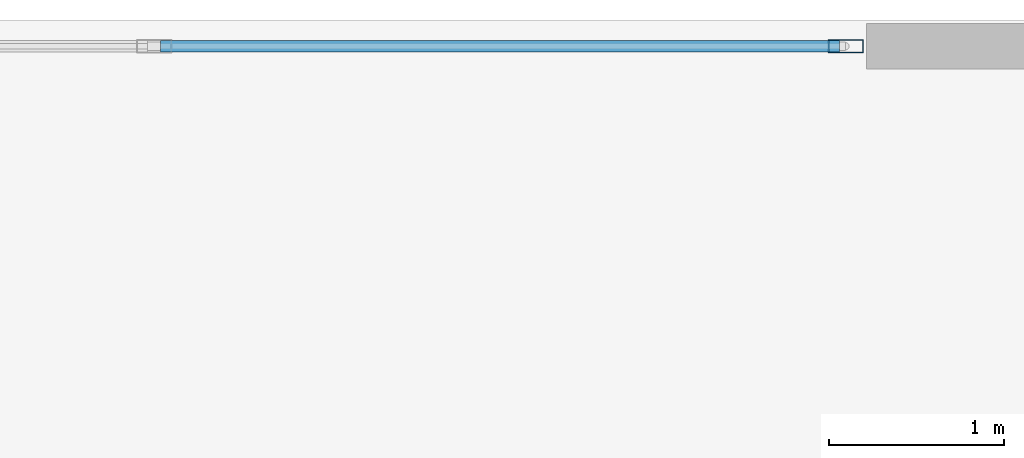
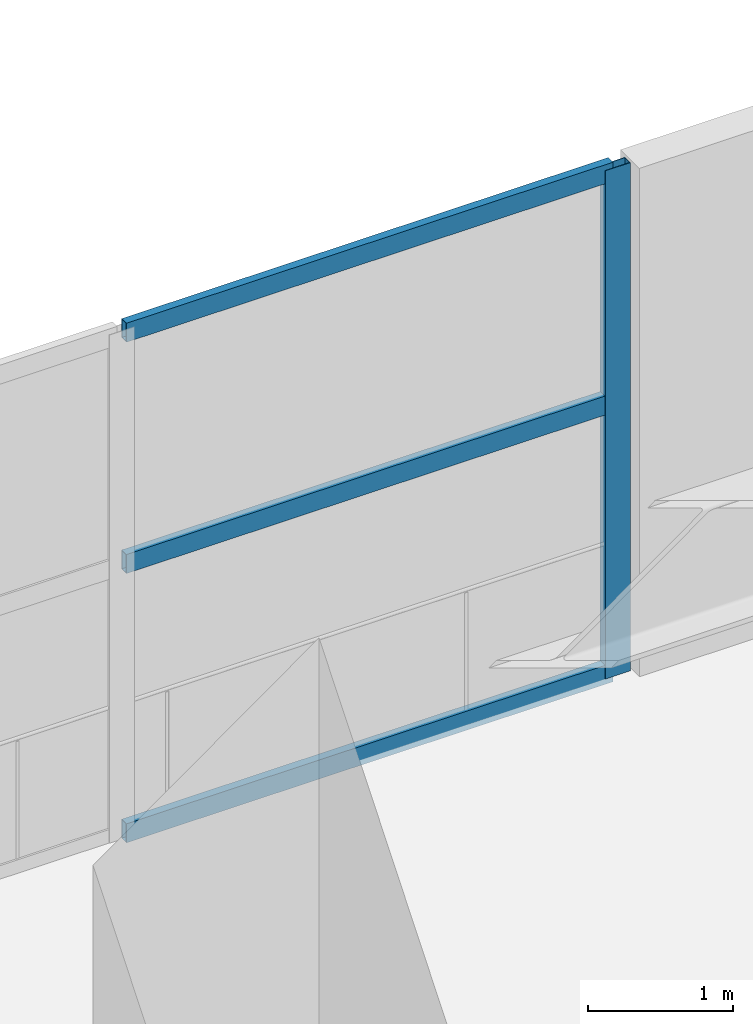
# One storey, part 9 of 20: 4 members, 1 element without a shape of its own.
"""IFC4 building model written with IfcOpenShell, lengths in metres."""

import ifcopenshell
import ifcopenshell.guid

model = None  # the IFC model being written
_history = None  # IfcOwnerHistory: only IFC2X3 demands one
_inside = {}  # id of a spatial element -> (the spatial element, [elements in it])
_under = {}  # id of a project, library or spatial element -> (it, [spatial elements below it])
_declared = {}  # id of a project -> (the project, [libraries it declares])
_typed = {}  # id of a type object -> (the type object, [elements of that type])
_made_of = {}  # id of a material, layer set ... -> (it, [elements and type objects made of it])


def new_model(schema):
    """Start an empty IFC model of exactly this schema.

    Asked for "IFC4X3", IfcOpenShell would pick the latest addendum, in which some entities
    have other attributes; the version numbers below select the first issue.
    IFC2X3 requires an IfcOwnerHistory on every rooted entity: one is made here for all.
    """
    global model, _history
    if schema == "IFC4X3":
        model = ifcopenshell.file(schema_version=(4, 3, 0, 0))
    else:
        model = ifcopenshell.file(schema=schema)
    _inside.clear()
    _under.clear()
    _declared.clear()
    _typed.clear()
    _made_of.clear()
    _history = None
    if model.schema == "IFC2X3":
        org = make("IfcOrganization", Name="unknown")
        user = make(
            "IfcPersonAndOrganization",
            ThePerson=make("IfcPerson", FamilyName="unknown"),
            TheOrganization=org,
        )
        app = make(
            "IfcApplication",
            ApplicationDeveloper=org,
            Version="unknown",
            ApplicationFullName="unknown",
            ApplicationIdentifier="unknown",
        )
        _history = make(
            "IfcOwnerHistory",
            OwningUser=user,
            OwningApplication=app,
            ChangeAction="ADDED",
            CreationDate=0,
        )
    return model


def make(cls, **values):
    """One entity of the class cls with the attributes given. An attribute that is None is left unset."""
    return model.create_entity(
        cls, **{name: value for name, value in values.items() if value is not None}
    )


def rooted(cls, **values):
    """An entity with a GlobalId (a new one), such as an element, a storey or a relation."""
    return make(cls, GlobalId=ifcopenshell.guid.new(), OwnerHistory=_history, **values)


def si_unit(unit_type, name, prefix=None):
    """IfcSIUnit, for example si_unit("LENGTHUNIT", "METRE", prefix="MILLI")."""
    return make("IfcSIUnit", UnitType=unit_type, Prefix=prefix, Name=name)


def assignment(units):
    """IfcUnitAssignment: the units of a project."""
    return None if units is None else make("IfcUnitAssignment", Units=units)


def point(xyz):
    """IfcCartesianPoint."""
    return None if xyz is None else make("IfcCartesianPoint", Coordinates=xyz)


def direction(xyz):
    """IfcDirection."""
    return None if xyz is None else make("IfcDirection", DirectionRatios=xyz)


def frame(location, z_axis=None, x_axis=None):
    """IfcAxis2Placement3D, a coordinate frame: its origin and axes. An axis left out is left unset."""
    return make(
        "IfcAxis2Placement3D",
        Location=point(location),
        Axis=direction(z_axis),
        RefDirection=direction(x_axis),
    )


def frame_2d(location, x_axis=None):
    """IfcAxis2Placement2D, a coordinate frame in the plane: its origin and x axis."""
    return make(
        "IfcAxis2Placement2D", Location=point(location), RefDirection=direction(x_axis)
    )


def origin():
    """The frame at (0, 0, 0) with its axes left unset."""
    return frame((0.0, 0.0, 0.0))


def origin_2d():
    """The frame at (0, 0) in the plane with its x axis left unset."""
    return frame_2d((0.0, 0.0))


def place(relative_to, where):
    """IfcLocalPlacement: puts the frame where relative to a parent placement (None: the world)."""
    return make(
        "IfcLocalPlacement", PlacementRelTo=relative_to, RelativePlacement=where
    )


def context(
    kind, dimensions, precision=None, world=None, true_north=None, identifier=None
):
    """IfcGeometricRepresentationContext, for example the 3D "Model" context."""
    return make(
        "IfcGeometricRepresentationContext",
        ContextIdentifier=identifier,
        ContextType=kind,
        CoordinateSpaceDimension=dimensions,
        Precision=precision,
        WorldCoordinateSystem=world,
        TrueNorth=true_north,
    )


def subcontext(parent, identifier, kind, view, scale=None):
    """IfcGeometricRepresentationSubContext, for example "Body" below "Model"."""
    return make(
        "IfcGeometricRepresentationSubContext",
        ContextIdentifier=identifier,
        ContextType=kind,
        ParentContext=parent,
        TargetScale=scale,
        TargetView=view,
    )


def project(units=None, contexts=None):
    """IfcProject with its units and contexts."""
    return rooted(
        "IfcProject",
        Name="project",
        RepresentationContexts=contexts,
        UnitsInContext=assignment(units),
    )


def spatial(cls, under=None, at=None, **own):
    """A site, building, storey or space (cls), placed at a placement, below another one or the project."""
    s = rooted(cls, ObjectPlacement=at, **own)
    if under is not None:
        _under.setdefault(under.id(), (under, []))[1].append(s)
    return s


def profile(cls, at=None, kind="AREA", **sizes):
    """A parametric profile (cls). Its sizes go by their IFC names, for example OverallWidth=200.0."""
    return make(cls, ProfileType=kind, Position=at, **sizes)


def hollow_rectangle(**sizes):
    """IfcRectangleHollowProfileDef."""
    return profile("IfcRectangleHollowProfileDef", **sizes)


def extrude(swept, where, along, depth):
    """IfcExtrudedAreaSolid: the profile swept, set in the frame where, extruded along a direction by depth."""
    return make(
        "IfcExtrudedAreaSolid",
        SweptArea=swept,
        Position=where,
        ExtrudedDirection=direction(along),
        Depth=depth,
    )


def shape(context_of_items, identifier, shape_type, items):
    """IfcShapeRepresentation: the items that make up one representation, for example the "Body"."""
    return make(
        "IfcShapeRepresentation",
        ContextOfItems=context_of_items,
        RepresentationIdentifier=identifier,
        RepresentationType=shape_type,
        Items=items,
    )


def material(Name=None, Category=None):
    """IfcMaterial."""
    return make("IfcMaterial", Name=Name, Category=Category)


def layer(
    of_material, thickness, ventilated=None, Name=None, Category=None, Priority=None
):
    """IfcMaterialLayer: one layer of a wall or slab, of a material (None: an air gap)."""
    return make(
        "IfcMaterialLayer",
        Material=of_material,
        LayerThickness=thickness,
        IsVentilated=ventilated,
        Name=Name,
        Category=Category,
        Priority=Priority,
    )


def layer_set(layers, Name=None):
    """IfcMaterialLayerSet."""
    return make("IfcMaterialLayerSet", MaterialLayers=layers, LayerSetName=Name)


def material_profile(
    of_material, cross_section, Name=None, Category=None, Priority=None
):
    """IfcMaterialProfile: a cross section and its material."""
    return make(
        "IfcMaterialProfile",
        Name=Name,
        Material=of_material,
        Profile=cross_section,
        Priority=Priority,
        Category=Category,
    )


def profile_set(profiles, Name=None, composite=None):
    """IfcMaterialProfileSet."""
    return make(
        "IfcMaterialProfileSet",
        Name=Name,
        MaterialProfiles=profiles,
        CompositeProfile=composite,
    )


def made_of(thing, what):
    """Note that an element or type object is made of a material, layer set ...; save() writes the relation."""
    if what is not None:
        _made_of.setdefault(what.id(), (what, []))[1].append(thing)
    return thing


def type_object(cls, material=None, **own):
    """A type object (cls), such as IfcWallType, which elements share."""
    return made_of(rooted(cls, **own), material)


def element(
    cls,
    number,
    at=None,
    inside=None,
    cuts=None,
    type_object=None,
    material=None,
    context=None,
    identifier="Body",
    shape_type=None,
    held_by="IfcProductDefinitionShape",
    body=None,
    shapes=None,
    **own,
):
    """One element of the class cls, such as IfcWall. Its Tag is "e" and its number.

    at: its placement. inside: the storey or other place that contains it. cuts: it is an
    opening in that element (IfcRelVoidsElement). A single representation is given by context,
    identifier, shape_type and body (its items); several are given by shapes. held_by: the class
    of the entity that holds the representations. save() writes the other relations.
    """
    e = rooted(cls, Tag="e%d" % number, ObjectPlacement=at, **own)
    if body is not None:
        shapes = [shape(context, identifier, shape_type, body)]
    if shapes is not None:
        e.Representation = make(held_by, Representations=shapes)
    if inside is not None:
        _inside.setdefault(inside.id(), (inside, []))[1].append(e)
    if cuts is not None:
        rooted(
            "IfcRelVoidsElement", RelatingBuildingElement=cuts, RelatedOpeningElement=e
        )
    if type_object is not None:
        _typed.setdefault(type_object.id(), (type_object, []))[1].append(e)
    return made_of(e, material)


def aggregate(whole, parts):
    """IfcRelAggregates: a whole, such as a stair, and the parts it consists of."""
    return rooted("IfcRelAggregates", RelatingObject=whole, RelatedObjects=parts)


def save(model, path):
    """Write the relations noted so far, then the file.

    IfcRelAggregates (storeys below a building ...), IfcRelContainedInSpatialStructure (elements
    in a storey), IfcRelDefinesByType, IfcRelAssociatesMaterial and IfcRelDeclares: one each for
    every whole, place, type object, material and project.
    """
    for whole, parts in _under.values():
        aggregate(whole, parts)
    for where, things in _inside.values():
        rooted(
            "IfcRelContainedInSpatialStructure",
            RelatedElements=things,
            RelatingStructure=where,
        )
    for kind, things in _typed.values():
        rooted("IfcRelDefinesByType", RelatedObjects=things, RelatingType=kind)
    for what, things in _made_of.values():
        rooted("IfcRelAssociatesMaterial", RelatedObjects=things, RelatingMaterial=what)
    for by, libraries in _declared.values():
        rooted("IfcRelDeclares", RelatingContext=by, RelatedDefinitions=libraries)
    model.write(path)


model = new_model("IFC4")

# Units and contexts
model_context = context("Model", 3, precision=1e-05, world=origin(), true_north=direction((0.0, 1.0)))
body_context = subcontext(model_context, "Body", "Model", "MODEL_VIEW")
ifc_project = project(units=[si_unit("LENGTHUNIT", "METRE"), si_unit("AREAUNIT", "SQUARE_METRE"), si_unit("VOLUMEUNIT", "CUBIC_METRE"), si_unit("PLANEANGLEUNIT", "RADIAN"), si_unit("MASSUNIT", "GRAM", prefix="KILO")], contexts=[model_context])

# Site, building, storey
site_placement = place(None, origin())
site = spatial("IfcSite", under=ifc_project, at=site_placement, CompositionType="ELEMENT")
building_placement = place(site_placement, origin())
building = spatial("IfcBuilding", under=site, at=building_placement, Name="Solvane Sanctuary Tower", CompositionType="ELEMENT")
storey_placement = place(building_placement, frame((0.0, 0.0, 9.199951171875)))
storey = spatial("IfcBuildingStorey", under=building, at=storey_placement, Name="L03", CompositionType="ELEMENT", Elevation=9.199951171875)

# Curtain wall, members
ifc_material = material(Name="Anodised Aluminium 6063-T6", Category="aluminium")
ifc_layer = layer(ifc_material, 0.159912109375, Name="Anodised Aluminium 6063-T6")
ifc_layer_set = layer_set([ifc_layer], Name="Anodised Aluminium 6063-T6")
curtain_wall_type = type_object("IfcCurtainWallType", Name="Curtain Wall CW-POD", PredefinedType="NOTDEFINED", material=ifc_layer_set)
curtain_wall_placement = place(storey_placement, origin())
curtain_wall = element("IfcCurtainWall", 1, at=curtain_wall_placement, inside=storey, type_object=curtain_wall_type, Name="L03 Sanctuary Curtain Wall N2", PredefinedType="NOTDEFINED")
ifc_material_profile_1 = material_profile(ifc_material, hollow_rectangle(XDim=0.074951171875, YDim=0.199951171875, WallThickness=0.00390625, at=origin_2d()), Name="ALU200X75X4")
ifc_profile_set_1 = profile_set([ifc_material_profile_1], Name="Anodised Aluminium 6063-T6")
member_type_1 = type_object("IfcMemberType", Name="Member M-CW-MUL-1 ALU200X75X4", PredefinedType="MULLION", material=ifc_profile_set_1)
member_1_placement = place(storey_placement, frame((43.96240234375, 45.85009765625, 0.0), z_axis=(0.0, 0.0, 1.0), x_axis=(0.0, -1.0, 0.0)))
member_1 = element("IfcMember", 2, at=member_1_placement, type_object=member_type_1, Name="CW-POD mullion 1", PredefinedType="MULLION", context=body_context, shape_type="SweptSolid", body=[
    extrude(hollow_rectangle(XDim=0.074951171875, YDim=0.199951171875, WallThickness=0.00390625, at=origin_2d()), origin(), (0.0, 0.0, 1.0), 4.280029296875),
])
ifc_material_profile_2 = material_profile(ifc_material, hollow_rectangle(XDim=0.06494140625, YDim=0.159912109375, WallThickness=0.00341796875, at=origin_2d()), Name="ALU160X65X3.5")
ifc_profile_set_2 = profile_set([ifc_material_profile_2], Name="Anodised Aluminium 6063-T6")
member_type_2 = type_object("IfcMemberType", Name="Member M-CW-TRN-1 ALU160X65X3.5", PredefinedType="USERDEFINED", material=ifc_profile_set_2)
member_2_placement = place(storey_placement, frame((43.925048828125, 45.85009765625, 0.032470703125), z_axis=(-1.0, 0.0, 0.0), x_axis=(0.0, -1.0, 0.0)))
member_2 = element("IfcMember", 3, at=member_2_placement, type_object=member_type_2, Name="CW-POD transom 1.1", ObjectType="TRANSOM", PredefinedType="USERDEFINED", context=body_context, shape_type="SweptSolid", body=[
    extrude(hollow_rectangle(XDim=0.06494140625, YDim=0.159912109375, WallThickness=0.00341796875, at=origin_2d()), origin(), (0.0, 0.0, 1.0), 3.874267578125),
])
member_3_placement = place(storey_placement, frame((43.925048828125, 45.85009765625, 2.300048828125), z_axis=(-1.0, 0.0, 0.0), x_axis=(0.0, -1.0, 0.0)))
member_3 = element("IfcMember", 4, at=member_3_placement, type_object=member_type_2, Name="CW-POD transom 1.2", ObjectType="TRANSOM", PredefinedType="USERDEFINED", context=body_context, shape_type="SweptSolid", body=[
    extrude(hollow_rectangle(XDim=0.06494140625, YDim=0.159912109375, WallThickness=0.00341796875, at=origin_2d()), origin(), (0.0, 0.0, 1.0), 3.874267578125),
])
member_4_placement = place(storey_placement, frame((43.925048828125, 45.85009765625, 4.24755859375), z_axis=(-1.0, 0.0, 0.0), x_axis=(0.0, -1.0, 0.0)))
member_4 = element("IfcMember", 5, at=member_4_placement, type_object=member_type_2, Name="CW-POD transom 1.3", ObjectType="TRANSOM", PredefinedType="USERDEFINED", context=body_context, shape_type="SweptSolid", body=[
    extrude(hollow_rectangle(XDim=0.06494140625, YDim=0.159912109375, WallThickness=0.00341796875, at=origin_2d()), origin(), (0.0, 0.0, 1.0), 3.874267578125),
])
aggregate(curtain_wall, [member_1, member_2, member_3, member_4])

save(model, "model.ifc")
